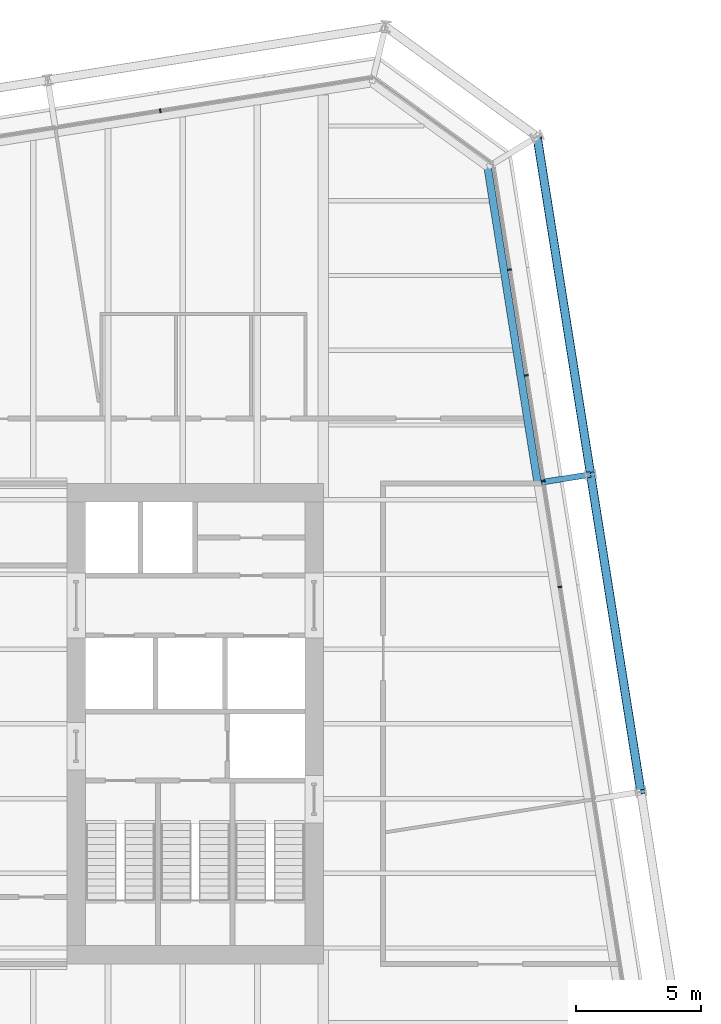
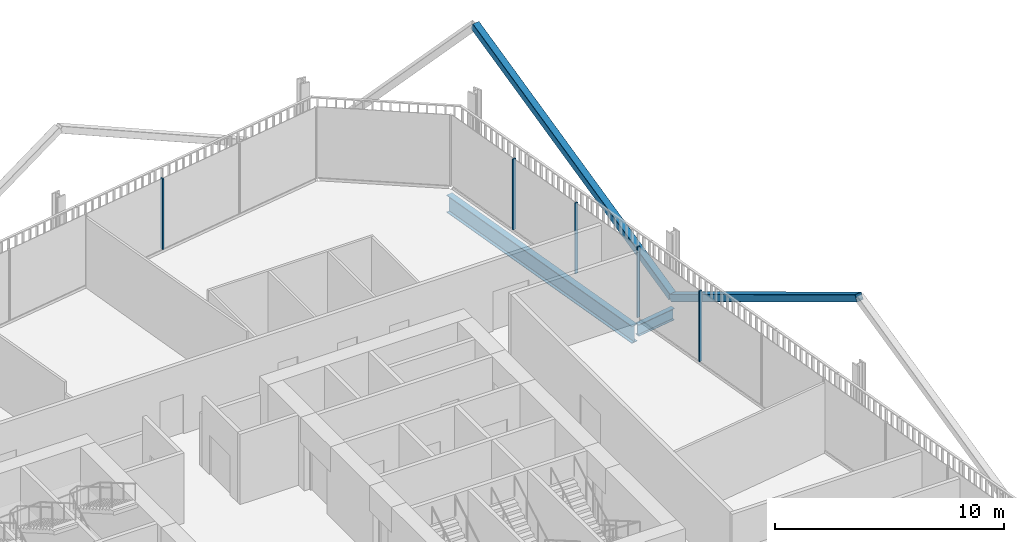
# One storey, part 15 of 22: 7 members, 2 beams, 2 elements without a shape of their own.
"""IFC4 building model written with IfcOpenShell, lengths in metres."""

from ifc_helpers import new_model, si_unit, direction, frame, origin, origin_2d, place, context, subcontext, project, spatial, rectangle, hollow_rectangle, i_section, extrude, material, layer, layer_set, material_profile, profile_set, type_object, element, aggregate, save


model = new_model("IFC4")

# Units and contexts
model_context = context("Model", 3, precision=1e-05, world=origin(), true_north=direction((0.0, 1.0)))
body_context = subcontext(model_context, "Body", "Model", "MODEL_VIEW")
ifc_project = project(units=[si_unit("LENGTHUNIT", "METRE"), si_unit("AREAUNIT", "SQUARE_METRE"), si_unit("VOLUMEUNIT", "CUBIC_METRE"), si_unit("PLANEANGLEUNIT", "RADIAN"), si_unit("MASSUNIT", "GRAM", prefix="KILO")], contexts=[model_context])

# Site, building, storey
site_placement = place(None, origin())
site = spatial("IfcSite", under=ifc_project, at=site_placement, CompositionType="ELEMENT")
building_placement = place(site_placement, origin())
building = spatial("IfcBuilding", under=site, at=building_placement, Name="Millrace Tower", CompositionType="ELEMENT")
storey_placement = place(building_placement, frame((0.0, 0.0, 152.89990234375)))
storey = spatial("IfcBuildingStorey", under=building, at=storey_placement, Name="L34", CompositionType="ELEMENT", Elevation=152.89990234375)

# Curtain wall, members
ifc_material_1 = material(Name="Aluminium and glass", Category="aluminium")
ifc_layer = layer(ifc_material_1, 0.14990234375)
ifc_layer_set = layer_set([ifc_layer], Name="Aluminium and glass")
curtain_wall_type = type_object("IfcCurtainWallType", Name="CW-1 office vision curtain wall", PredefinedType="NOTDEFINED", material=ifc_layer_set)
placement = place(storey_placement, origin())
curtain_wall_1 = element("IfcCurtainWall", 1, at=placement, inside=storey, type_object=curtain_wall_type, Name="Curtain wall C-F04 L34", PredefinedType="NOTDEFINED")
ifc_material_2 = material(Name="Aluminium", Category="aluminium")
ifc_material_profile_1 = material_profile(ifc_material_2, rectangle(XDim=0.06494140625, YDim=0.14990234375, at=origin_2d()))
ifc_profile_set_1 = profile_set([ifc_material_profile_1], Name="Aluminium")
member_type_1 = type_object("IfcMemberType", Name="CW-1 office vision curtain wall mullion", PredefinedType="MULLION", material=ifc_profile_set_1)
member_1_placement = place(storey_placement, frame((24.143310546875, 5.49365234375, 0.14013671875), z_axis=(0.0, 0.0, 1.0), x_axis=(-0.15643447328, 0.98768833929, 0.0)))
member_1 = element("IfcMember", 2, at=member_1_placement, type_object=member_type_1, Name="CW1 mullion C-F04.6", PredefinedType="MULLION", context=body_context, shape_type="SweptSolid", body=[
    extrude(rectangle(XDim=0.06494140625, YDim=0.14990234375, at=origin_2d()), origin(), (0.0, 0.0, 1.0), 3.760009765625),
])
member_2_placement = place(storey_placement, frame((23.470703125, 9.74072265625, 0.14013671875), z_axis=(0.0, 0.0, 1.0), x_axis=(-0.15643447328, 0.98768833929, 0.0)))
member_2 = element("IfcMember", 3, at=member_2_placement, type_object=member_type_1, Name="CW1 mullion C-F04.7", PredefinedType="MULLION", context=body_context, shape_type="SweptSolid", body=[
    extrude(rectangle(XDim=0.06494140625, YDim=0.14990234375, at=origin_2d()), origin(), (0.0, 0.0, 1.0), 3.760009765625),
])
member_3_placement = place(storey_placement, frame((22.798095703125, 13.98779296875, 0.14013671875), z_axis=(0.0, 0.0, 1.0), x_axis=(-0.15643447328, 0.98768833929, 0.0)))
member_3 = element("IfcMember", 4, at=member_3_placement, type_object=member_type_1, Name="CW1 mullion C-F04.8", PredefinedType="MULLION", context=body_context, shape_type="SweptSolid", body=[
    extrude(rectangle(XDim=0.06494140625, YDim=0.14990234375, at=origin_2d()), origin(), (0.0, 0.0, 1.0), 3.760009765625),
])
member_4_placement = place(storey_placement, frame((22.125244140625, 18.23486328125, 0.14013671875), z_axis=(0.0, 0.0, 1.0), x_axis=(-0.15643447328, 0.98768833929, 0.0)))
member_4 = element("IfcMember", 5, at=member_4_placement, type_object=member_type_1, Name="CW1 mullion C-F04.9", PredefinedType="MULLION", context=body_context, shape_type="SweptSolid", body=[
    extrude(rectangle(XDim=0.06494140625, YDim=0.14990234375, at=origin_2d()), origin(), (0.0, 0.0, 1.0), 3.760009765625),
])
aggregate(curtain_wall_1, [member_1, member_2, member_3, member_4])

# Curtain wall, member
curtain_wall_2 = element("IfcCurtainWall", 6, at=placement, inside=storey, type_object=curtain_wall_type, Name="Curtain wall C-F06 L34", PredefinedType="NOTDEFINED")
member_5_placement = place(storey_placement, frame((8.09765625, 24.611328125, 0.14013671875), z_axis=(0.0, 0.0, 1.0), x_axis=(-0.98768833929, -0.15643447328, 0.0)))
member_5 = element("IfcMember", 7, at=member_5_placement, type_object=member_type_1, Name="CW1 mullion C-F06.3", PredefinedType="MULLION", context=body_context, shape_type="SweptSolid", body=[
    extrude(rectangle(XDim=0.06494140625, YDim=0.14990234375, at=origin_2d()), origin(), (0.0, 0.0, 1.0), 3.760009765625),
])
aggregate(curtain_wall_2, [member_5])

# Members
ifc_material_3 = material(Name="Steel ASTM A500 Grade C", Category="steel")
ifc_material_profile_2 = material_profile(ifc_material_3, hollow_rectangle(XDim=0.355712890625, YDim=0.355712890625, WallThickness=0.015869140625, InnerFilletRadius=0.008056640625, OuterFilletRadius=0.02392578125, at=origin_2d()))
ifc_profile_set_2 = profile_set([ifc_material_profile_2], Name="Steel ASTM A500 Grade C")
member_type_2 = type_object("IfcMemberType", Name="Exoskeleton brace HSS14x14x5/8", PredefinedType="BRACE", material=ifc_profile_set_2)
member_6_placement = place(storey_placement, frame((25.376953125, 10.009765625, 0.400146484375), z_axis=(0.137499609887, -0.868113917345, 0.476940335673), x_axis=(0.987687659758, 0.156438763615, 0.0)))
element("IfcMember", 8, at=member_6_placement, inside=storey, type_object=member_type_2, Name="BRC-C-L34-07", PredefinedType="BRACE", context=body_context, shape_type="SweptSolid", body=[
    extrude(hollow_rectangle(XDim=0.355712890625, YDim=0.355712890625, WallThickness=0.015869140625, InnerFilletRadius=0.008056640625, OuterFilletRadius=0.02392578125, at=origin_2d()), origin(), (0.0, 0.0, 1.0), 14.677001953125),
])
member_7_placement = place(storey_placement, frame((25.376953125, 10.009765625, 0.400146484375), z_axis=(-0.139355372932, 0.879906554943, 0.454251620363), x_axis=(-0.987689751328, -0.156425557764, 0.0)))
element("IfcMember", 9, at=member_7_placement, inside=storey, type_object=member_type_2, Name="BRC-C-L34-08", PredefinedType="BRACE", context=body_context, shape_type="SweptSolid", body=[
    extrude(hollow_rectangle(XDim=0.355712890625, YDim=0.355712890625, WallThickness=0.015869140625, InnerFilletRadius=0.008056640625, OuterFilletRadius=0.02392578125, at=origin_2d()), origin(), (0.0, 0.0, 1.0), 15.409912109375),
])

# Beams
ifc_material_4 = material(Name="Steel ASTM A992 Grade 50", Category="steel")
ifc_material_profile_3 = material_profile(ifc_material_4, i_section(OverallWidth=0.23046875, OverallDepth=0.6171875, WebThickness=0.01318359375, FlangeThickness=0.022216796875, FilletRadius=0.012939453125, at=origin_2d()))
ifc_profile_set_3 = profile_set([ifc_material_profile_3], Name="Steel ASTM A992 Grade 50")
beam_type_1 = type_object("IfcBeamType", Name="Link beam W24x94", PredefinedType="BEAM", material=ifc_profile_set_3)
beam_1_placement = place(storey_placement, frame((23.401611328125, 9.69677734375, -0.468505859375), z_axis=(0.987678691416, 0.156495375404, 0.0), x_axis=(-0.156495375404, 0.987678691416, 0.0)))
element("IfcBeam", 10, at=beam_1_placement, inside=storey, type_object=beam_type_1, Name="LNK-C-L34-S1-10", PredefinedType="BEAM", context=body_context, shape_type="SweptSolid", body=[
    extrude(i_section(OverallWidth=0.23046875, OverallDepth=0.6171875, WebThickness=0.01318359375, FlangeThickness=0.022216796875, FilletRadius=0.012939453125, at=origin_2d()), origin(), (0.0, 0.0, 1.0), 2.0),
])
ifc_material_5 = material(Name="Steel ASTM A992 Grade 50", Category="steel")
ifc_material_profile_4 = material_profile(ifc_material_5, i_section(OverallWidth=0.307373046875, OverallDepth=0.927001953125, WebThickness=0.01953125, FlangeThickness=0.031982421875, FilletRadius=0.01904296875, at=origin_2d()))
ifc_profile_set_4 = profile_set([ifc_material_profile_4], Name="Steel ASTM A992 Grade 50")
beam_type_2 = type_object("IfcBeamType", Name="Ring beam medium span W36x194", PredefinedType="SPANDREL", material=ifc_profile_set_4)
beam_2_placement = place(storey_placement, frame((21.241943359375, 22.35107421875, -0.62353515625), z_axis=(0.156436246498, -0.987688058438, 0.0), x_axis=(0.987688058438, 0.156436246498, 0.0)))
element("IfcBeam", 11, at=beam_2_placement, inside=storey, type_object=beam_type_2, Name="RNG-C-L34-S1-09", PredefinedType="SPANDREL", context=body_context, shape_type="SweptSolid", body=[
    extrude(i_section(OverallWidth=0.307373046875, OverallDepth=0.927001953125, WebThickness=0.01953125, FlangeThickness=0.031982421875, FilletRadius=0.01904296875, at=origin_2d()), origin(), (0.0, 0.0, 1.0), 12.836181640625),
])

save(model, "model.ifc")
